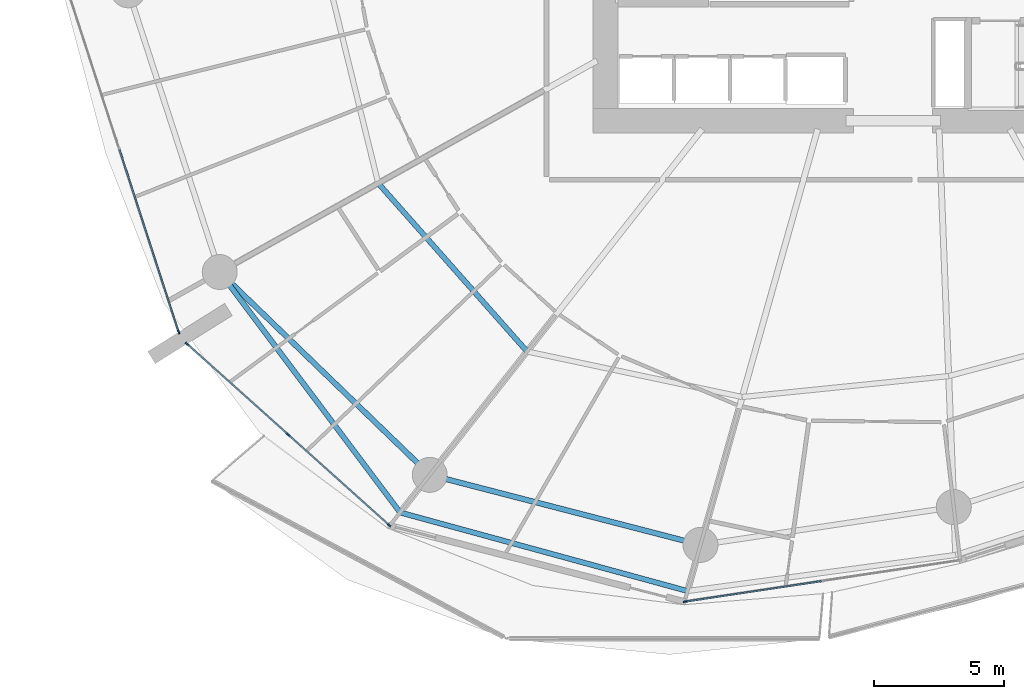
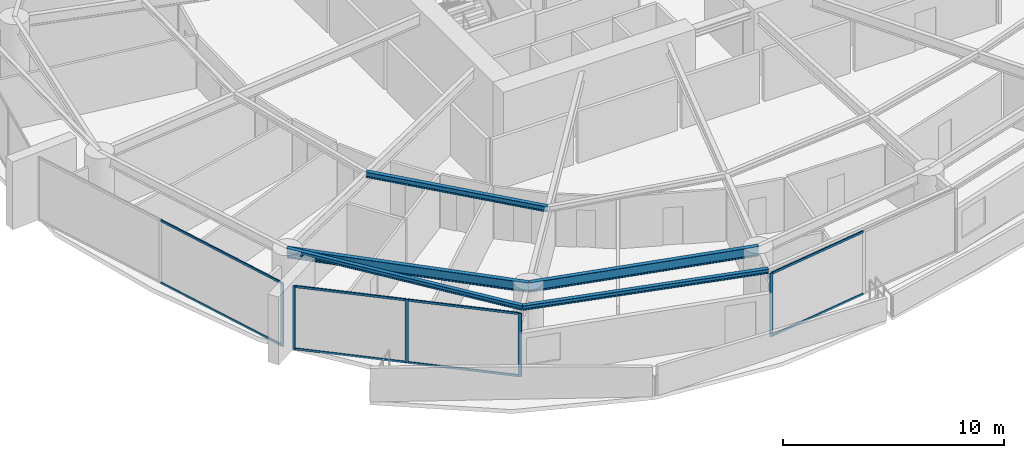
# One storey, part 6 of 31: 13 members, 5 beams, 3 elements without a shape of their own.
"""IFC4 building model written with IfcOpenShell, lengths in metres."""

from ifc_helpers import new_model, si_unit, direction, frame, origin, origin_2d, place, context, subcontext, project, spatial, rectangle, i_section, extrude, material, layer, layer_set, material_profile, profile_set, type_object, element, aggregate, save


model = new_model("IFC4")

# Units and contexts
model_context = context("Model", 3, precision=1e-05, world=origin(), true_north=direction((0.0, 1.0)))
body_context = subcontext(model_context, "Body", "Model", "MODEL_VIEW")
ifc_project = project(units=[si_unit("LENGTHUNIT", "METRE"), si_unit("AREAUNIT", "SQUARE_METRE"), si_unit("VOLUMEUNIT", "CUBIC_METRE"), si_unit("PLANEANGLEUNIT", "RADIAN"), si_unit("MASSUNIT", "GRAM", prefix="KILO")], contexts=[model_context])

# Site, building, storey
site_placement = place(None, origin())
site = spatial("IfcSite", under=ifc_project, at=site_placement, CompositionType="ELEMENT")
building_placement = place(site_placement, origin())
building = spatial("IfcBuilding", under=site, at=building_placement, Name="Kazma Halo Residences", CompositionType="ELEMENT")
storey_placement = place(building_placement, frame((0.0, 0.0, 30.14990234375)))
storey = spatial("IfcBuildingStorey", under=building, at=storey_placement, Name="L06", CompositionType="ELEMENT", Elevation=30.14990234375)

# Beams
ifc_material_1 = material(Name="Steel S355", Category="steel")
ifc_material_profile_1 = material_profile(ifc_material_1, i_section(OverallWidth=0.201904296875, OverallDepth=0.2470703125, WebThickness=0.00732421875, FlangeThickness=0.010986328125, FilletRadius=0.011962890625, at=origin_2d()), Name="W250x49.1")
ifc_profile_set_1 = profile_set([ifc_material_profile_1], Name="Steel S355")
beam_type_1 = type_object("IfcBeamType", Name="BM-BAL-CANT", PredefinedType="BEAM", material=ifc_profile_set_1)
beam_1_placement = place(storey_placement, frame((22.43505859375, 27.682861328125, 3.376708984375), z_axis=(0.600026935007, -0.799979798037, 0.0), x_axis=(0.799979798037, 0.600026935007, 0.0)))
element("IfcBeam", 1, at=beam_1_placement, inside=storey, type_object=beam_type_1, Name="L06 wave-balcony lead tie beam 09", PredefinedType="BEAM", context=body_context, shape_type="SweptSolid", body=[
    extrude(i_section(OverallWidth=0.201904296875, OverallDepth=0.2470703125, WebThickness=0.00732421875, FlangeThickness=0.010986328125, FilletRadius=0.011962890625, at=origin_2d()), origin(), (0.0, 0.0, 1.0), 11.601806640625),
])
beam_2_placement = place(storey_placement, frame((29.396484375, 18.401611328125, 3.376708984375), z_axis=(0.964628474934, -0.263613173697, 0.0), x_axis=(0.263613173697, 0.964628474934, 0.0)))
element("IfcBeam", 2, at=beam_2_placement, inside=storey, type_object=beam_type_1, Name="L06 wave-balcony tie beam 10", PredefinedType="BEAM", context=body_context, shape_type="SweptSolid", body=[
    extrude(i_section(OverallWidth=0.201904296875, OverallDepth=0.2470703125, WebThickness=0.00732421875, FlangeThickness=0.010986328125, FilletRadius=0.011962890625, at=origin_2d()), origin(), (0.0, 0.0, 1.0), 11.499755859375),
])
ifc_material_profile_2 = material_profile(ifc_material_1, i_section(OverallWidth=0.202880859375, OverallDepth=0.302978515625, WebThickness=0.007568359375, FlangeThickness=0.01318359375, FilletRadius=0.013916015625, at=origin_2d()), Name="W310x60")
ifc_profile_set_2 = profile_set([ifc_material_profile_2], Name="Steel S355")
beam_type_2 = type_object("IfcBeamType", Name="BM-SEC-W310A", PredefinedType="JOIST", material=ifc_profile_set_2)
beam_3_placement = place(storey_placement, frame((28.55224609375, 31.10888671875, 3.3486328125), z_axis=(0.662640120169, -0.748937962146, 0.0), x_axis=(0.748937962146, 0.662640120169, 0.0)))
element("IfcBeam", 3, at=beam_3_placement, inside=storey, type_object=beam_type_2, Name="L06 circumferential floor joist 09", PredefinedType="JOIST", context=body_context, shape_type="SweptSolid", body=[
    extrude(i_section(OverallWidth=0.202880859375, OverallDepth=0.302978515625, WebThickness=0.007568359375, FlangeThickness=0.01318359375, FilletRadius=0.013916015625, at=origin_2d()), origin(), (0.0, 0.0, 1.0), 8.668212890625),
])
ifc_material_profile_3 = material_profile(ifc_material_1, i_section(OverallWidth=0.208984375, OverallDepth=0.532958984375, WebThickness=0.01025390625, FlangeThickness=0.015625, FilletRadius=0.01611328125, at=origin_2d()), Name="W530x92")
ifc_profile_set_3 = profile_set([ifc_material_profile_3], Name="Steel S355")
beam_type_3 = type_object("IfcBeamType", Name="BM-SPN-W530", PredefinedType="BEAM", material=ifc_profile_set_3)
beam_4_placement = place(storey_placement, frame((22.43505859375, 27.682861328125, 3.233642578125), z_axis=(0.719336506967, -0.694661780829, 0.0), x_axis=(0.694661780829, 0.719336506967, 0.0)))
element("IfcBeam", 4, at=beam_4_placement, inside=storey, type_object=beam_type_3, Name="L06 perimeter ring beam 09", PredefinedType="BEAM", context=body_context, shape_type="SweptSolid", body=[
    extrude(i_section(OverallWidth=0.208984375, OverallDepth=0.532958984375, WebThickness=0.01025390625, FlangeThickness=0.015625, FilletRadius=0.01611328125, at=origin_2d()), origin(), (0.0, 0.0, 1.0), 11.269775390625),
])
beam_5_placement = place(storey_placement, frame((30.541748046875, 19.854248046875, 3.233642578125), z_axis=(0.968123558238, -0.250473104313, 0.0), x_axis=(0.250473104313, 0.968123558238, 0.0)))
element("IfcBeam", 5, at=beam_5_placement, inside=storey, type_object=beam_type_3, Name="L06 perimeter ring beam 10", PredefinedType="BEAM", context=body_context, shape_type="SweptSolid", body=[
    extrude(i_section(OverallWidth=0.208984375, OverallDepth=0.532958984375, WebThickness=0.01025390625, FlangeThickness=0.015625, FilletRadius=0.01611328125, at=origin_2d()), origin(), (0.0, 0.0, 1.0), 10.7939453125),
])

# Curtain wall, member
ifc_material_2 = material(Name="Aluminium AW-6063 T6 and Triple-Silver Low-E Glass", Category="aluminium")
ifc_layer = layer(ifc_material_2, 0.159912109375)
ifc_layer_set = layer_set([ifc_layer], Name="Aluminium AW-6063 T6 and Triple-Silver Low-E Glass")
curtain_wall_type = type_object("IfcCurtainWallType", Name="CW-SYS-2", PredefinedType="NOTDEFINED", material=ifc_layer_set)
curtain_wall_1_placement = place(storey_placement, origin())
curtain_wall_1 = element("IfcCurtainWall", 6, at=curtain_wall_1_placement, inside=storey, type_object=curtain_wall_type, Name="L06 unitised curtain wall B08", PredefinedType="NOTDEFINED")
ifc_material_3 = material(Name="Aluminium AW-6063 T6", Category="aluminium")
ifc_material_profile_4 = material_profile(ifc_material_3, rectangle(XDim=0.06005859375, YDim=0.159912109375, at=origin_2d()), Name="CWM-60x160")
ifc_profile_set_4 = profile_set([ifc_material_profile_4], Name="Aluminium AW-6063 T6")
member_type_1 = type_object("IfcMemberType", Name="CW-SYS-2-MUL", PredefinedType="MULLION", material=ifc_profile_set_4)
member_1_placement = place(storey_placement, frame((20.854248046875, 25.36669921875, 0.0), z_axis=(0.0, 0.0, 1.0), x_axis=(0.95105652404, 0.309016970539, 0.0)))
member_1 = element("IfcMember", 7, at=member_1_placement, type_object=member_type_1, Name="CWS-2 mullion 3", PredefinedType="MULLION", context=body_context, shape_type="SweptSolid", body=[
    extrude(rectangle(XDim=0.06005859375, YDim=0.159912109375, at=origin_2d()), origin(), (0.0, 0.0, 1.0), 3.5),
])

# Curtain wall, members
curtain_wall_2_placement = place(storey_placement, origin())
curtain_wall_2 = element("IfcCurtainWall", 8, at=curtain_wall_2_placement, inside=storey, type_object=curtain_wall_type, Name="L06 unitised curtain wall B09", PredefinedType="NOTDEFINED")
member_2_placement = place(storey_placement, frame((21.17333984375, 24.908203125, 0.0), z_axis=(0.0, 0.0, 1.0), x_axis=(0.667821453854, 0.744321506993, 0.0)))
member_2 = element("IfcMember", 9, at=member_2_placement, type_object=member_type_1, Name="CWS-2 mullion 1", PredefinedType="MULLION", context=body_context, shape_type="SweptSolid", body=[
    extrude(rectangle(XDim=0.06005859375, YDim=0.159912109375, at=origin_2d()), origin(), (0.0, 0.0, 1.0), 3.5),
])
member_3_placement = place(storey_placement, frame((25.07275390625, 21.409912109375, 0.0), z_axis=(0.0, 0.0, 1.0), x_axis=(0.667821453854, 0.744321506993, 0.0)))
member_3 = element("IfcMember", 10, at=member_3_placement, type_object=member_type_1, Name="CWS-2 mullion 2", PredefinedType="MULLION", context=body_context, shape_type="SweptSolid", body=[
    extrude(rectangle(XDim=0.06005859375, YDim=0.159912109375, at=origin_2d()), origin(), (0.0, 0.0, 1.0), 3.5),
])
member_4_placement = place(storey_placement, frame((28.971923828125, 17.911376953125, 0.0), z_axis=(0.0, 0.0, 1.0), x_axis=(0.667821453854, 0.744321506993, 0.0)))
member_4 = element("IfcMember", 11, at=member_4_placement, type_object=member_type_1, Name="CWS-2 mullion 3", PredefinedType="MULLION", context=body_context, shape_type="SweptSolid", body=[
    extrude(rectangle(XDim=0.06005859375, YDim=0.159912109375, at=origin_2d()), origin(), (0.0, 0.0, 1.0), 3.5),
])

# Curtain wall, member
curtain_wall_3_placement = place(storey_placement, origin())
curtain_wall_3 = element("IfcCurtainWall", 12, at=curtain_wall_3_placement, inside=storey, type_object=curtain_wall_type, Name="L06 unitised curtain wall B11", PredefinedType="NOTDEFINED")
member_5_placement = place(storey_placement, frame((40.403076171875, 14.962158203125, 0.0), z_axis=(0.0, 0.0, 1.0), x_axis=(-0.148657272805, 0.988888777994, 0.0)))
member_5 = element("IfcMember", 13, at=member_5_placement, type_object=member_type_1, Name="CWS-2 mullion 1", PredefinedType="MULLION", context=body_context, shape_type="SweptSolid", body=[
    extrude(rectangle(XDim=0.06005859375, YDim=0.159912109375, at=origin_2d()), origin(), (0.0, 0.0, 1.0), 3.5),
])

# Member
ifc_material_profile_5 = material_profile(ifc_material_3, rectangle(XDim=0.06005859375, YDim=0.1201171875, at=origin_2d()), Name="CWT-60x120")
ifc_profile_set_5 = profile_set([ifc_material_profile_5], Name="Aluminium AW-6063 T6")
member_type_2 = type_object("IfcMemberType", Name="CW-SYS-2-TRN", PredefinedType="USERDEFINED", material=ifc_profile_set_5)
member_6_placement = place(storey_placement, frame((18.5673828125, 32.4052734375, 0.030029296875), z_axis=(0.309004433966, -0.951060597328, 0.0), x_axis=(0.951060597328, 0.309004433966, 0.0)))
member_6 = element("IfcMember", 14, at=member_6_placement, type_object=member_type_2, Name="CWS-2 transom 2.1", ObjectType="TRANSOM", PredefinedType="USERDEFINED", context=body_context, shape_type="SweptSolid", body=[
    extrude(rectangle(XDim=0.06005859375, YDim=0.1201171875, at=origin_2d()), origin(), (0.0, 0.0, 1.0), 7.370849609375),
])

member_7_placement = place(storey_placement, frame((18.5673828125, 32.4052734375, 3.47021484375), z_axis=(0.309004433966, -0.951060597328, 0.0), x_axis=(0.951060597328, 0.309004433966, 0.0)))
member_7 = element("IfcMember", 15, at=member_7_placement, type_object=member_type_2, Name="CWS-2 transom 2.2", ObjectType="TRANSOM", PredefinedType="USERDEFINED", context=body_context, shape_type="SweptSolid", body=[
    extrude(rectangle(XDim=0.06005859375, YDim=0.1201171875, at=origin_2d()), origin(), (0.0, 0.0, 1.0), 7.370849609375),
])

aggregate(curtain_wall_1, [member_1, member_6, member_7])

member_8_placement = place(storey_placement, frame((21.19580078125, 24.88818359375, 0.030029296875), z_axis=(0.744329408538, -0.66781264707, 0.0), x_axis=(0.66781264707, 0.744329408538, 0.0)))
member_8 = element("IfcMember", 16, at=member_8_placement, type_object=member_type_2, Name="CWS-2 transom 1.1", ObjectType="TRANSOM", PredefinedType="USERDEFINED", context=body_context, shape_type="SweptSolid", body=[
    extrude(rectangle(XDim=0.06005859375, YDim=0.1201171875, at=origin_2d()), origin(), (0.0, 0.0, 1.0), 5.178466796875),
])

member_9_placement = place(storey_placement, frame((21.19580078125, 24.88818359375, 3.47021484375), z_axis=(0.744329408538, -0.66781264707, 0.0), x_axis=(0.66781264707, 0.744329408538, 0.0)))
member_9 = element("IfcMember", 17, at=member_9_placement, type_object=member_type_2, Name="CWS-2 transom 1.2", ObjectType="TRANSOM", PredefinedType="USERDEFINED", context=body_context, shape_type="SweptSolid", body=[
    extrude(rectangle(XDim=0.06005859375, YDim=0.1201171875, at=origin_2d()), origin(), (0.0, 0.0, 1.0), 5.178466796875),
])

member_10_placement = place(storey_placement, frame((25.094970703125, 21.3896484375, 0.030029296875), z_axis=(0.744329408538, -0.66781264707, 0.0), x_axis=(0.66781264707, 0.744329408538, 0.0)))
member_10 = element("IfcMember", 18, at=member_10_placement, type_object=member_type_2, Name="CWS-2 transom 2.1", ObjectType="TRANSOM", PredefinedType="USERDEFINED", context=body_context, shape_type="SweptSolid", body=[
    extrude(rectangle(XDim=0.06005859375, YDim=0.1201171875, at=origin_2d()), origin(), (0.0, 0.0, 1.0), 5.178466796875),
])

member_11_placement = place(storey_placement, frame((25.094970703125, 21.3896484375, 3.47021484375), z_axis=(0.744329408538, -0.66781264707, 0.0), x_axis=(0.66781264707, 0.744329408538, 0.0)))
member_11 = element("IfcMember", 19, at=member_11_placement, type_object=member_type_2, Name="CWS-2 transom 2.2", ObjectType="TRANSOM", PredefinedType="USERDEFINED", context=body_context, shape_type="SweptSolid", body=[
    extrude(rectangle(XDim=0.06005859375, YDim=0.1201171875, at=origin_2d()), origin(), (0.0, 0.0, 1.0), 5.178466796875),
])

aggregate(curtain_wall_2, [member_2, member_3, member_4, member_8, member_9, member_10, member_11])

member_12_placement = place(storey_placement, frame((40.4326171875, 14.966796875, 0.030029296875), z_axis=(0.988890934274, 0.148642928222, 0.0), x_axis=(-0.148642928222, 0.988890934274, 0.0)))
member_12 = element("IfcMember", 20, at=member_12_placement, type_object=member_type_2, Name="CWS-2 transom 1.1", ObjectType="TRANSOM", PredefinedType="USERDEFINED", context=body_context, shape_type="SweptSolid", body=[
    extrude(rectangle(XDim=0.06005859375, YDim=0.1201171875, at=origin_2d()), origin(), (0.0, 0.0, 1.0), 5.288818359375),
])

member_13_placement = place(storey_placement, frame((40.4326171875, 14.966796875, 3.47021484375), z_axis=(0.988890934274, 0.148642928222, 0.0), x_axis=(-0.148642928222, 0.988890934274, 0.0)))
member_13 = element("IfcMember", 21, at=member_13_placement, type_object=member_type_2, Name="CWS-2 transom 1.2", ObjectType="TRANSOM", PredefinedType="USERDEFINED", context=body_context, shape_type="SweptSolid", body=[
    extrude(rectangle(XDim=0.06005859375, YDim=0.1201171875, at=origin_2d()), origin(), (0.0, 0.0, 1.0), 5.288818359375),
])

aggregate(curtain_wall_3, [member_5, member_12, member_13])

save(model, "model.ifc")
